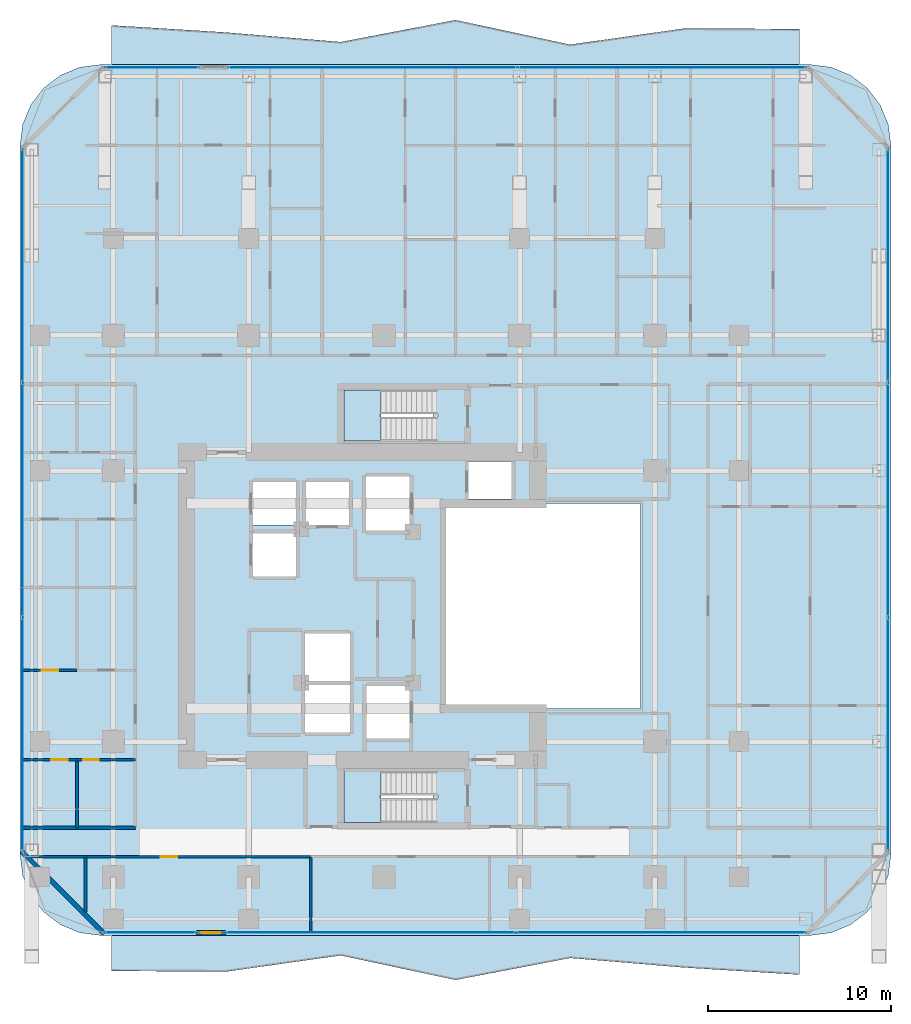
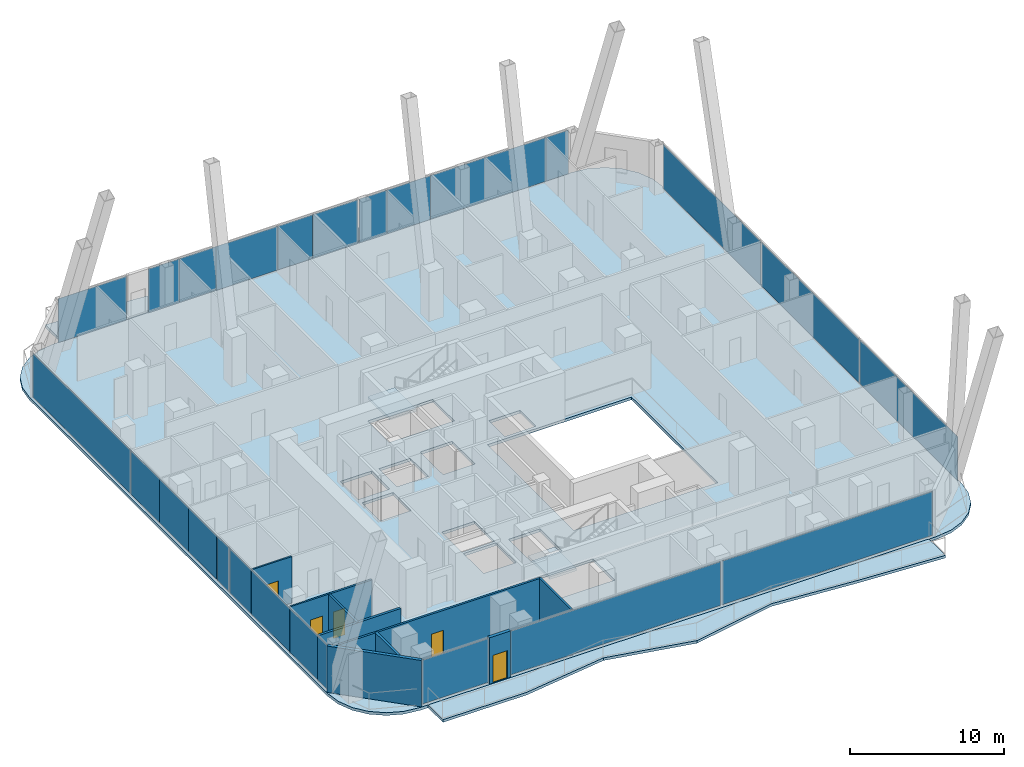
# One storey, part 20 of 28: 25 plates, 10 walls, 5 doors, 5 slabs, 5 openings, 8 elements without a shape of their own.
"""IFC4 building model written with IfcOpenShell, lengths in metres."""

from ifc_helpers import new_model, si_unit, direction, frame, frame_2d, origin, origin_2d, place, context, subcontext, project, spatial, polyline, rectangle, outline, extrude, material, layer, layer_set, type_object, element, fill, aggregate, save


model = new_model("IFC4")

# Units and contexts
model_context = context("Model", 3, precision=1e-05, world=origin(), true_north=direction((0.0, 1.0)))
body_context = subcontext(model_context, "Body", "Model", "MODEL_VIEW")
ifc_project = project(units=[si_unit("LENGTHUNIT", "METRE"), si_unit("AREAUNIT", "SQUARE_METRE"), si_unit("VOLUMEUNIT", "CUBIC_METRE"), si_unit("PLANEANGLEUNIT", "RADIAN"), si_unit("MASSUNIT", "GRAM", prefix="KILO")], contexts=[model_context])

# Site, building, storey
site_placement = place(None, origin())
site = spatial("IfcSite", under=ifc_project, at=site_placement, CompositionType="ELEMENT")
building_placement = place(site_placement, origin())
building = spatial("IfcBuilding", under=site, at=building_placement, Name="Khorvyn Point Tower", CompositionType="ELEMENT")
storey_placement = place(building_placement, frame((0.0, 0.0, 121.199951171875)))
storey = spatial("IfcBuildingStorey", under=building, at=storey_placement, Name="L30", CompositionType="ELEMENT", Elevation=121.199951171875)

# Slabs
ifc_material_1 = material(Name="Concrete C35/45", Category="concrete")
ifc_layer_1 = layer(ifc_material_1, 0.219970703125)
ifc_layer_set_1 = layer_set([ifc_layer_1], Name="Concrete C35/45 Structural Floor Slab 220")
slab_type_1 = type_object("IfcSlabType", Name="Concrete C35/45 Structural Floor Slab 220", PredefinedType="FLOOR", material=ifc_layer_set_1)
slab_1_placement = place(storey_placement, frame((0.0, 0.0, -0.219970703125)))
element("IfcSlab", 1, at=slab_1_placement, inside=storey, type_object=slab_type_1, Name="L30 Main Structural Floor Slab", PredefinedType="FLOOR", context=body_context, shape_type="SweptSolid", body=[
    extrude(outline(polyline([(-15.5, -18.0), (-16.638916015625, -17.85009765625), (-17.699951171875, -17.410400390625), (-18.611328125, -16.711181640625), (-19.310546875, -15.800048828125), (-19.75, -14.73876953125), (-19.89990234375, -13.60009765625), (-19.89990234375, 25.199951171875), (-19.75, 26.3388671875), (-19.310546875, 27.39990234375), (-18.611328125, 28.311279296875), (-17.699951171875, 29.010498046875), (-16.638916015625, 29.4501953125), (-15.5, 29.60009765625), (23.300048828125, 29.60009765625), (24.438720703125, 29.4501953125), (25.5, 29.010498046875), (26.411376953125, 28.311279296875), (27.110595703125, 27.39990234375), (27.550048828125, 26.3388671875), (27.699951171875, 25.199951171875), (27.699951171875, -13.60009765625), (27.550048828125, -14.73876953125), (27.110595703125, -15.800048828125), (26.411376953125, -16.711181640625), (25.5, -17.410400390625), (24.438720703125, -17.85009765625), (23.300048828125, -18.0), (-15.5, -18.0)]), holes=[polyline([(-1.875, -6.89990234375), (-1.875, -4.300048828125), (-4.324951171875, -4.300048828125), (-4.324951171875, -6.89990234375), (-1.875, -6.89990234375)]), polyline([(-1.875, -4.10009765625), (-1.875, -1.5), (-4.324951171875, -1.5), (-4.324951171875, -4.10009765625), (-1.875, -4.10009765625)]), polyline([(-4.824951171875, 1.625), (-4.824951171875, 3.97509765625), (-7.175048828125, 3.97509765625), (-7.175048828125, 1.625), (-4.824951171875, 1.625)]), polyline([(-7.175048828125, 4.425048828125), (-4.824951171875, 4.425048828125), (-4.824951171875, 6.77490234375), (-7.175048828125, 6.77490234375), (-7.175048828125, 4.425048828125)]), polyline([(-4.27490234375, 4.425048828125), (-1.925048828125, 4.425048828125), (-1.925048828125, 6.77490234375), (-4.27490234375, 6.77490234375), (-4.27490234375, 4.425048828125)]), polyline([(1.39990234375, 4.125), (1.39990234375, 7.074951171875), (-1.0, 7.074951171875), (-1.0, 4.125), (1.39990234375, 4.125)]), polyline([(-2.199951171875, -11.820068359375), (2.679931640625, -11.820068359375), (2.679931640625, -9.02001953125), (-2.199951171875, -9.02001953125), (-2.199951171875, -11.820068359375)]), polyline([(-0.97509765625, -7.22509765625), (1.375, -7.22509765625), (1.375, -4.375), (-0.97509765625, -4.375), (-0.97509765625, -7.22509765625)]), polyline([(14.0, -5.60009765625), (14.0, 5.60009765625), (3.199951171875, 5.60009765625), (3.199951171875, -5.60009765625), (14.0, -5.60009765625)]), polyline([(4.625, 5.85009765625), (6.97509765625, 5.85009765625), (6.97509765625, 7.905029296875), (4.625, 7.905029296875), (4.625, 5.85009765625)]), polyline([(-2.199951171875, 9.02001953125), (2.679931640625, 9.02001953125), (2.679931640625, 11.820068359375), (-2.199951171875, 11.820068359375), (-2.199951171875, 9.02001953125)])]), origin(), (0.0, 0.0, 1.0), 0.219970703125),
])
ifc_material_2 = material(Name="Concrete C40/50", Category="concrete")
ifc_layer_2 = layer(ifc_material_2, 0.2099609375)
ifc_layer_set_2 = layer_set([ifc_layer_2], Name="Concrete C40/50 Rippling Balcony Slab 210")
slab_type_2 = type_object("IfcSlabType", Name="Concrete C40/50 Rippling Balcony Slab 210", PredefinedType="USERDEFINED", material=ifc_layer_set_2)
slab_2_placement = place(storey_placement, frame((0.0, 0.0, -0.2099609375)))
element("IfcSlab", 2, at=slab_2_placement, inside=storey, type_object=slab_type_2, Name="L30 North Sinusoidal Rippling Balcony", ObjectType="BALCONY", PredefinedType="USERDEFINED", context=body_context, shape_type="SweptSolid", body=[
    extrude(outline(polyline([(22.699951171875, 29.60009765625), (22.699951171875, 31.54150390625), (16.433349609375, 31.577392578125), (10.166748046875, 30.689697265625), (3.89990234375, 32.03369140625), (-2.36669921875, 30.83251953125), (-8.63330078125, 31.35546875), (-14.89990234375, 31.74365234375), (-14.89990234375, 29.60009765625), (22.699951171875, 29.60009765625)])), origin(), (0.0, 0.0, 1.0), 0.2099609375),
])
slab_3_placement = place(storey_placement, frame((0.0, 0.0, -0.2099609375)))
element("IfcSlab", 3, at=slab_3_placement, inside=storey, type_object=slab_type_2, Name="L30 South Sinusoidal Rippling Balcony", ObjectType="BALCONY", PredefinedType="USERDEFINED", context=body_context, shape_type="SweptSolid", body=[
    extrude(outline(polyline([(-14.89990234375, -18.0), (-14.89990234375, -19.94140625), (-8.63330078125, -19.977294921875), (-2.36669921875, -19.089599609375), (3.89990234375, -20.43359375), (10.166748046875, -19.232421875), (16.433349609375, -19.75537109375), (22.699951171875, -20.1435546875), (22.699951171875, -18.0), (-14.89990234375, -18.0)])), origin(), (0.0, 0.0, 1.0), 0.2099609375),
])

# Stair, slab
stair_type = type_object("IfcStairType", Name="Tower Concrete C40/50 Dogleg Exit Stair", PredefinedType="HALF_TURN_STAIR", material=ifc_material_2)
stair_1_placement = place(storey_placement, origin())
stair_1 = element("IfcStair", 4, at=stair_1_placement, inside=storey, type_object=stair_type, Name="L30 Tower Smokeproof Exit Stair South", PredefinedType="HALF_TURN_STAIR")
ifc_layer_3 = layer(ifc_material_2, 0.199951171875)
ifc_layer_set_3 = layer_set([ifc_layer_3], Name="Concrete C40/50 Stair Landing Slab 200")
slab_type_3 = type_object("IfcSlabType", Name="Concrete C40/50 Stair Landing Slab 200", PredefinedType="LANDING", material=ifc_layer_set_3)
slab_4_placement = place(storey_placement, frame((0.0, 0.0, 1.75)))
slab_4 = element("IfcSlab", 5, at=slab_4_placement, type_object=slab_type_3, Name="ST-01 landing 1", PredefinedType="LANDING", context=body_context, shape_type="SweptSolid", body=[
    extrude(outline(polyline([(-0.179931640625, -9.02001953125), (-2.199951171875, -9.02001953125), (-2.199951171875, -11.820068359375), (-0.179931640625, -11.820068359375), (-0.179931640625, -9.02001953125)])), origin(), (0.0, 0.0, 1.0), 0.199951171875),
])
aggregate(stair_1, [slab_4])

stair_2_placement = place(storey_placement, origin())
stair_2 = element("IfcStair", 6, at=stair_2_placement, inside=storey, type_object=stair_type, Name="L30 Tower Smokeproof Exit Stair North", PredefinedType="HALF_TURN_STAIR")
slab_5_placement = place(storey_placement, frame((0.0, 0.0, 1.75)))
slab_5 = element("IfcSlab", 7, at=slab_5_placement, type_object=slab_type_3, Name="ST-02 landing 1", PredefinedType="LANDING", context=body_context, shape_type="SweptSolid", body=[
    extrude(outline(polyline([(-0.179931640625, 11.820068359375), (-2.199951171875, 11.820068359375), (-2.199951171875, 9.02001953125), (-0.179931640625, 9.02001953125), (-0.179931640625, 11.820068359375)])), origin(), (0.0, 0.0, 1.0), 0.199951171875),
])
aggregate(stair_2, [slab_5])

# Curtain wall, plates
ifc_material_3 = material(Name="Anodised aluminium 6063-T6 and laminated Low-E glass", Category="aluminium")
ifc_layer_4 = layer(ifc_material_3, 0.18994140625)
ifc_layer_set_4 = layer_set([ifc_layer_4], Name="Stick-Built Acoustic Curtain Wall CW-SYS-03")
curtain_wall_type = type_object("IfcCurtainWallType", Name="Stick-Built Acoustic Curtain Wall CW-SYS-03", PredefinedType="NOTDEFINED", material=ifc_layer_set_4)
curtain_wall_1_placement = place(storey_placement, origin())
curtain_wall_1 = element("IfcCurtainWall", 8, at=curtain_wall_1_placement, inside=storey, type_object=curtain_wall_type, Name="Curtain Wall", PredefinedType="NOTDEFINED")
ifc_material_4 = material(Name="Laminated Low-E insulated glass", Category="glass")
ifc_layer_5 = layer(ifc_material_4, 0.028076171875)
ifc_layer_set_5 = layer_set([ifc_layer_5], Name="Tempered Low-E Vision Glazing Panel CW-GL28")
plate_type = type_object("IfcPlateType", Name="Tempered Low-E Vision Glazing Panel CW-GL28", PredefinedType="CURTAIN_PANEL", material=ifc_layer_set_5)
plate_1_placement = place(storey_placement, frame((15.149658203125, -17.85009765625, 0.10009765625), z_axis=(0.0, 0.0, 1.0), x_axis=(-1.0, 0.0, 0.0)))
plate_1 = element("IfcPlate", 9, at=plate_1_placement, type_object=plate_type, Name="Panel", PredefinedType="CURTAIN_PANEL", context=body_context, shape_type="SweptSolid", body=[
    extrude(rectangle(XDim=15.800537109375, YDim=0.028076171875, at=origin_2d()), origin(), (0.0, 0.0, 1.0), 3.47998046875),
])
plate_2_placement = place(storey_placement, frame((-0.750732421875, -17.85009765625, 0.10009765625), z_axis=(0.0, 0.0, 1.0), x_axis=(-1.0, 0.0, 0.0)))
plate_2 = element("IfcPlate", 10, at=plate_2_placement, type_object=plate_type, Name="Panel", PredefinedType="CURTAIN_PANEL", context=body_context, shape_type="SweptSolid", body=[
    extrude(rectangle(XDim=15.800537109375, YDim=0.028076171875, at=origin_2d()), origin(), (0.0, 0.0, 1.0), 3.47998046875),
])
aggregate(curtain_wall_1, [plate_1, plate_2])

# Curtain wall, plate
curtain_wall_2_placement = place(storey_placement, origin())
curtain_wall_2 = element("IfcCurtainWall", 11, at=curtain_wall_2_placement, inside=storey, type_object=curtain_wall_type, Name="Curtain Wall", PredefinedType="NOTDEFINED")
plate_3_placement = place(storey_placement, frame((-12.7705078125, -17.85009765625, 0.10009765625), z_axis=(0.0, 0.0, 1.0), x_axis=(-1.0, 0.0, 0.0)))
plate_3 = element("IfcPlate", 12, at=plate_3_placement, type_object=plate_type, Name="Panel", PredefinedType="CURTAIN_PANEL", context=body_context, shape_type="SweptSolid", body=[
    extrude(rectangle(XDim=4.958984375, YDim=0.028076171875, at=origin_2d()), origin(), (0.0, 0.0, 1.0), 3.47998046875),
])
aggregate(curtain_wall_2, [plate_3])

curtain_wall_3_placement = place(storey_placement, origin())
curtain_wall_3 = element("IfcCurtainWall", 13, at=curtain_wall_3_placement, inside=storey, type_object=curtain_wall_type, Name="Curtain Wall", PredefinedType="NOTDEFINED")
plate_4_placement = place(storey_placement, frame((-12.694580078125, 29.449951171875, 0.10009765625), z_axis=(0.0, 0.0, 1.0), x_axis=(1.0, 0.0, 0.0)))
plate_4 = element("IfcPlate", 14, at=plate_4_placement, type_object=plate_type, Name="Panel", PredefinedType="CURTAIN_PANEL", context=body_context, shape_type="SweptSolid", body=[
    extrude(rectangle(XDim=5.111083984375, YDim=0.028076171875, at=origin_2d()), origin(), (0.0, 0.0, 1.0), 3.47998046875),
])
aggregate(curtain_wall_3, [plate_4])

# Curtain wall, plates
curtain_wall_4_placement = place(storey_placement, origin())
curtain_wall_4 = element("IfcCurtainWall", 15, at=curtain_wall_4_placement, inside=storey, type_object=curtain_wall_type, Name="Curtain Wall", PredefinedType="NOTDEFINED")
plate_5_placement = place(storey_placement, frame((-7.333984375, 29.449951171875, 0.10009765625), z_axis=(0.0, 0.0, 1.0), x_axis=(1.0, 0.0, 0.0)))
plate_5 = element("IfcPlate", 16, at=plate_5_placement, type_object=plate_type, Name="Panel", PredefinedType="CURTAIN_PANEL", context=body_context, shape_type="SweptSolid", body=[
    extrude(rectangle(XDim=2.322021484375, YDim=0.028076171875, at=origin_2d()), origin(), (0.0, 0.0, 1.0), 3.47998046875),
])
plate_6_placement = place(storey_placement, frame((-4.803955078125, 29.449951171875, 0.10009765625), z_axis=(0.0, 0.0, 1.0), x_axis=(1.0, 0.0, 0.0)))
plate_6 = element("IfcPlate", 17, at=plate_6_placement, type_object=plate_type, Name="Panel", PredefinedType="CURTAIN_PANEL", context=body_context, shape_type="SweptSolid", body=[
    extrude(rectangle(XDim=2.721923828125, YDim=0.028076171875, at=origin_2d()), origin(), (0.0, 0.0, 1.0), 3.47998046875),
])
plate_7_placement = place(storey_placement, frame((-1.114501953125, 29.449951171875, 0.10009765625), z_axis=(0.0, 0.0, 1.0), x_axis=(1.0, 0.0, 0.0)))
plate_7 = element("IfcPlate", 18, at=plate_7_placement, type_object=plate_type, Name="Panel", PredefinedType="CURTAIN_PANEL", context=body_context, shape_type="SweptSolid", body=[
    extrude(rectangle(XDim=4.64111328125, YDim=0.028076171875, at=origin_2d()), origin(), (0.0, 0.0, 1.0), 3.47998046875),
])
plate_8_placement = place(storey_placement, frame((2.52490234375, 29.449951171875, 0.10009765625), z_axis=(0.0, 0.0, 1.0), x_axis=(1.0, 0.0, 0.0)))
plate_8 = element("IfcPlate", 19, at=plate_8_placement, type_object=plate_type, Name="Panel", PredefinedType="CURTAIN_PANEL", context=body_context, shape_type="SweptSolid", body=[
    extrude(rectangle(XDim=2.6220703125, YDim=0.028076171875, at=origin_2d()), origin(), (0.0, 0.0, 1.0), 3.47998046875),
])
plate_9_placement = place(storey_placement, frame((5.53271484375, 29.449951171875, 0.10009765625), z_axis=(0.0, 0.0, 1.0), x_axis=(1.0, 0.0, 0.0)))
plate_9 = element("IfcPlate", 20, at=plate_9_placement, type_object=plate_type, Name="Panel", PredefinedType="CURTAIN_PANEL", context=body_context, shape_type="SweptSolid", body=[
    extrude(rectangle(XDim=3.37744140625, YDim=0.028076171875, at=origin_2d()), origin(), (0.0, 0.0, 1.0), 3.47998046875),
])
plate_10_placement = place(storey_placement, frame((8.3681640625, 29.449951171875, 0.10009765625), z_axis=(0.0, 0.0, 1.0), x_axis=(1.0, 0.0, 0.0)))
plate_10 = element("IfcPlate", 21, at=plate_10_placement, type_object=plate_type, Name="Panel", PredefinedType="CURTAIN_PANEL", context=body_context, shape_type="SweptSolid", body=[
    extrude(rectangle(XDim=2.077392578125, YDim=0.028076171875, at=origin_2d()), origin(), (0.0, 0.0, 1.0), 3.47998046875),
])
plate_11_placement = place(storey_placement, frame((11.04345703125, 29.449951171875, 0.10009765625), z_axis=(0.0, 0.0, 1.0), x_axis=(1.0, 0.0, 0.0)))
plate_11 = element("IfcPlate", 22, at=plate_11_placement, type_object=plate_type, Name="Panel", PredefinedType="CURTAIN_PANEL", context=body_context, shape_type="SweptSolid", body=[
    extrude(rectangle(XDim=3.257080078125, YDim=0.028076171875, at=origin_2d()), origin(), (0.0, 0.0, 1.0), 3.47998046875),
])
plate_12_placement = place(storey_placement, frame((17.0029296875, 29.449951171875, 0.10009765625), z_axis=(0.0, 0.0, 1.0), x_axis=(1.0, 0.0, 0.0)))
plate_12 = element("IfcPlate", 23, at=plate_12_placement, type_object=plate_type, Name="Panel", PredefinedType="CURTAIN_PANEL", context=body_context, shape_type="SweptSolid", body=[
    extrude(rectangle(XDim=8.64599609375, YDim=0.028076171875, at=origin_2d()), origin(), (0.0, 0.0, 1.0), 3.47998046875),
])
plate_13_placement = place(storey_placement, frame((22.18994140625, 29.449951171875, 0.10009765625), z_axis=(0.0, 0.0, 1.0), x_axis=(1.0, 0.0, 0.0)))
plate_13 = element("IfcPlate", 24, at=plate_13_placement, type_object=plate_type, Name="Panel", PredefinedType="CURTAIN_PANEL", context=body_context, shape_type="SweptSolid", body=[
    extrude(rectangle(XDim=1.7119140625, YDim=0.028076171875, at=origin_2d()), origin(), (0.0, 0.0, 1.0), 3.47998046875),
])
aggregate(curtain_wall_4, [plate_5, plate_6, plate_7, plate_8, plate_9, plate_10, plate_11, plate_12, plate_13])

curtain_wall_5_placement = place(storey_placement, origin())
curtain_wall_5 = element("IfcCurtainWall", 25, at=curtain_wall_5_placement, inside=storey, type_object=curtain_wall_type, Name="Curtain Wall", PredefinedType="NOTDEFINED")
plate_14_placement = place(storey_placement, frame((-19.75, -12.705078125, 0.10009765625), z_axis=(0.0, 0.0, 1.0), x_axis=(0.0, 1.0, 0.0)))
plate_14 = element("IfcPlate", 26, at=plate_14_placement, type_object=plate_type, Name="Panel", PredefinedType="CURTAIN_PANEL", context=body_context, shape_type="SweptSolid", body=[
    extrude(rectangle(XDim=1.281982421875, YDim=0.028076171875, at=origin_2d()), origin(), (0.0, 0.0, 1.0), 3.47998046875),
])
plate_15_placement = place(storey_placement, frame((-19.75, -10.257080078125, 0.10009765625), z_axis=(0.0, 0.0, 1.0), x_axis=(0.0, 1.0, 0.0)))
plate_15 = element("IfcPlate", 27, at=plate_15_placement, type_object=plate_type, Name="Panel", PredefinedType="CURTAIN_PANEL", context=body_context, shape_type="SweptSolid", body=[
    extrude(rectangle(XDim=3.597900390625, YDim=0.028076171875, at=origin_2d()), origin(), (0.0, 0.0, 1.0), 3.47998046875),
])
plate_16_placement = place(storey_placement, frame((-19.75, -5.950927734375, 0.10009765625), z_axis=(0.0, 0.0, 1.0), x_axis=(0.0, 1.0, 0.0)))
plate_16 = element("IfcPlate", 28, at=plate_16_placement, type_object=plate_type, Name="Panel", PredefinedType="CURTAIN_PANEL", context=body_context, shape_type="SweptSolid", body=[
    extrude(rectangle(XDim=4.998046875, YDim=0.028076171875, at=origin_2d()), origin(), (0.0, 0.0, 1.0), 3.47998046875),
])
plate_17_placement = place(storey_placement, frame((-19.75, -2.057373046875, 0.10009765625), z_axis=(0.0, 0.0, 1.0), x_axis=(0.0, 1.0, 0.0)))
plate_17 = element("IfcPlate", 29, at=plate_17_placement, type_object=plate_type, Name="Panel", PredefinedType="CURTAIN_PANEL", context=body_context, shape_type="SweptSolid", body=[
    extrude(rectangle(XDim=2.773193359375, YDim=0.028076171875, at=origin_2d()), origin(), (0.0, 0.0, 1.0), 3.47998046875),
])
plate_18_placement = place(storey_placement, frame((-19.75, 0.19580078125, 0.10009765625), z_axis=(0.0, 0.0, 1.0), x_axis=(0.0, 1.0, 0.0)))
plate_18 = element("IfcPlate", 30, at=plate_18_placement, type_object=plate_type, Name="Panel", PredefinedType="CURTAIN_PANEL", context=body_context, shape_type="SweptSolid", body=[
    extrude(rectangle(XDim=1.5166015625, YDim=0.028076171875, at=origin_2d()), origin(), (0.0, 0.0, 1.0), 3.47998046875),
])
plate_19_placement = place(storey_placement, frame((-19.75, 2.881103515625, 0.10009765625), z_axis=(0.0, 0.0, 1.0), x_axis=(0.0, 1.0, 0.0)))
plate_19 = element("IfcPlate", 31, at=plate_19_placement, type_object=plate_type, Name="Panel", PredefinedType="CURTAIN_PANEL", context=body_context, shape_type="SweptSolid", body=[
    extrude(rectangle(XDim=3.597900390625, YDim=0.028076171875, at=origin_2d()), origin(), (0.0, 0.0, 1.0), 3.47998046875),
])
plate_20_placement = place(storey_placement, frame((-19.75, 6.569091796875, 0.10009765625), z_axis=(0.0, 0.0, 1.0), x_axis=(0.0, 1.0, 0.0)))
plate_20 = element("IfcPlate", 32, at=plate_20_placement, type_object=plate_type, Name="Panel", PredefinedType="CURTAIN_PANEL", context=body_context, shape_type="SweptSolid", body=[
    extrude(rectangle(XDim=3.761962890625, YDim=0.028076171875, at=origin_2d()), origin(), (0.0, 0.0, 1.0), 3.47998046875),
])
plate_21_placement = place(storey_placement, frame((-19.75, 10.310302734375, 0.10009765625), z_axis=(0.0, 0.0, 1.0), x_axis=(0.0, 1.0, 0.0)))
plate_21 = element("IfcPlate", 33, at=plate_21_placement, type_object=plate_type, Name="Panel", PredefinedType="CURTAIN_PANEL", context=body_context, shape_type="SweptSolid", body=[
    extrude(rectangle(XDim=3.70458984375, YDim=0.028076171875, at=origin_2d()), origin(), (0.0, 0.0, 1.0), 3.47998046875),
])
plate_22_placement = place(storey_placement, frame((-19.75, 18.6083984375, 0.10009765625), z_axis=(0.0, 0.0, 1.0), x_axis=(0.0, 1.0, 0.0)))
plate_22 = element("IfcPlate", 34, at=plate_22_placement, type_object=plate_type, Name="Panel", PredefinedType="CURTAIN_PANEL", context=body_context, shape_type="SweptSolid", body=[
    extrude(rectangle(XDim=12.683349609375, YDim=0.028076171875, at=origin_2d()), origin(), (0.0, 0.0, 1.0), 3.47998046875),
])
aggregate(curtain_wall_5, [plate_14, plate_15, plate_16, plate_17, plate_18, plate_19, plate_20, plate_21, plate_22])

curtain_wall_6_placement = place(storey_placement, origin())
curtain_wall_6 = element("IfcCurtainWall", 35, at=curtain_wall_6_placement, inside=storey, type_object=curtain_wall_type, Name="Curtain Wall", PredefinedType="NOTDEFINED")
plate_23_placement = place(storey_placement, frame((27.550048828125, 18.6083984375, 0.10009765625), z_axis=(0.0, 0.0, 1.0), x_axis=(0.0, -1.0, 0.0)))
plate_23 = element("IfcPlate", 36, at=plate_23_placement, type_object=plate_type, Name="Panel", PredefinedType="CURTAIN_PANEL", context=body_context, shape_type="SweptSolid", body=[
    extrude(rectangle(XDim=12.683349609375, YDim=0.028076171875, at=origin_2d()), origin(), (0.0, 0.0, 1.0), 3.47998046875),
])
plate_24_placement = place(storey_placement, frame((27.550048828125, 5.800048828125, 0.10009765625), z_axis=(0.0, 0.0, 1.0), x_axis=(0.0, -1.0, 0.0)))
plate_24 = element("IfcPlate", 37, at=plate_24_placement, type_object=plate_type, Name="Panel", PredefinedType="CURTAIN_PANEL", context=body_context, shape_type="SweptSolid", body=[
    extrude(rectangle(XDim=12.7333984375, YDim=0.028076171875, at=origin_2d()), origin(), (0.0, 0.0, 1.0), 3.47998046875),
])
plate_25_placement = place(storey_placement, frame((27.550048828125, -7.00830078125, 0.10009765625), z_axis=(0.0, 0.0, 1.0), x_axis=(0.0, -1.0, 0.0)))
plate_25 = element("IfcPlate", 38, at=plate_25_placement, type_object=plate_type, Name="Panel", PredefinedType="CURTAIN_PANEL", context=body_context, shape_type="SweptSolid", body=[
    extrude(rectangle(XDim=12.683349609375, YDim=0.028076171875, at=origin_2d()), origin(), (0.0, 0.0, 1.0), 3.47998046875),
])
aggregate(curtain_wall_6, [plate_23, plate_24, plate_25])

# Walls
ifc_material_5 = material(Name="Double acoustic gypsum on twin steel stud", Category="steel")
ifc_layer_6 = layer(ifc_material_5, 0.179931640625)
ifc_layer_set_6 = layer_set([ifc_layer_6], Name="Acoustic Double-Stud Apartment Demising Wall 180")
wall_type_1 = type_object("IfcWallType", Name="Acoustic Double-Stud Apartment Demising Wall 180", PredefinedType="PARTITIONING", material=ifc_layer_set_6)
wall_1_placement = place(storey_placement, frame((-16.320068359375, -16.7099609375, 0.0), z_axis=(0.0, 0.0, 1.0), x_axis=(0.0, 1.0, 0.0)))
element("IfcWall", 39, at=wall_1_placement, inside=storey, type_object=wall_type_1, Name="Wall", PredefinedType="PARTITIONING", context=body_context, shape_type="SweptSolid", body=[
    extrude(rectangle(XDim=3.010009765625, YDim=0.179931640625, at=frame_2d((1.5048828125, 0.0))), origin(), (0.0, 0.0, 1.0), 3.679931640625),
])
wall_2_placement = place(storey_placement, frame((-19.72998046875, -12.1201171875, 0.0), z_axis=(0.0, 0.0, 1.0), x_axis=(1.0, 0.0, 0.0)))
element("IfcWall", 40, at=wall_2_placement, inside=storey, type_object=wall_type_1, Name="Wall", PredefinedType="PARTITIONING", context=body_context, shape_type="SweptSolid", body=[
    extrude(rectangle(XDim=6.1298828125, YDim=0.179931640625, at=frame_2d((3.06494140625, 0.0))), origin(), (0.0, 0.0, 1.0), 3.679931640625),
])

# Wall, opening, door
ifc_material_6 = material(Name="Pale anodised aluminium rainscreen on steel stud", Category="steel")
ifc_layer_7 = layer(ifc_material_6, 0.239990234375)
ifc_layer_set_7 = layer_set([ifc_layer_7], Name="Anodised Aluminium Insulated Corner Spandrel Wall 240")
wall_type_2 = type_object("IfcWallType", Name="Anodised Aluminium Insulated Corner Spandrel Wall 240", PredefinedType="SOLIDWALL", material=ifc_layer_set_7)
wall_3_placement = place(storey_placement, frame((-8.680908203125, -17.85009765625, 0.0), z_axis=(0.0, 0.0, 1.0), x_axis=(-1.0, 0.0, 0.0)))
wall_3 = element("IfcWall", 41, at=wall_3_placement, inside=storey, type_object=wall_type_2, Name="L30 South Outdoor Threshold Wall", PredefinedType="SOLIDWALL", context=body_context, shape_type="SweptSolid", body=[
    extrude(rectangle(XDim=1.580078125, YDim=0.239990234375, at=frame_2d((0.7900390625, 0.0))), origin(), (0.0, 0.0, 1.0), 3.679931640625),
])
opening_1_placement = place(wall_3_placement, frame((0.239990234375, 0.0, 0.0)))
opening_1 = element("IfcOpeningElement", 42, at=opening_1_placement, cuts=wall_3, Name="Opening BD-1122", PredefinedType="OPENING", context=body_context, shape_type="SweptSolid", body=[
    extrude(rectangle(XDim=1.10009765625, YDim=2.199951171875, at=frame_2d((0.550048828125, 1.10009765625))), frame((0.0, 0.1298828125, 0.0), z_axis=(0.0, -1.0, 0.0), x_axis=(1.0, 0.0, 0.0)), (0.0, 0.0, 1.0), 0.260009765625),
])
door_type_1 = type_object("IfcDoorType", Name="Glazed Balcony and Terrace Threshold Door 1100x2200", OperationType="NOTDEFINED", PredefinedType="DOOR", material=ifc_material_3)
door_1_placement = place(opening_1_placement, origin())
door_1 = element("IfcDoor", 43, at=door_1_placement, inside=storey, type_object=door_type_1, Name="L30 South Glazed Balcony Outdoor Door", OperationType="SINGLE_SWING_RIGHT", OverallHeight=2.199951171875, OverallWidth=1.10009765625, PredefinedType="DOOR", context=body_context, shape_type="SweptSolid", body=[
    extrude(rectangle(XDim=1.10009765625, YDim=2.199951171875, at=frame_2d((0.550048828125, 1.10009765625))), frame((0.0, 0.02490234375, 0.0), z_axis=(0.0, -1.0, 0.0), x_axis=(1.0, 0.0, 0.0)), (0.0, 0.0, 1.0), 0.050048828125),
])
fill(opening_1, door_1)

# Wall
wall_4_placement = place(storey_placement, frame((-15.3076171875, -17.892333984375, 0.0), z_axis=(0.0, 0.0, 1.0), x_axis=(-0.707126027686, 0.707087534163, 0.0)))
element("IfcWall", 44, at=wall_4_placement, inside=storey, type_object=wall_type_2, Name="L30 Rounded Corner Wall SW", PredefinedType="SOLIDWALL", context=body_context, shape_type="SweptSolid", body=[
    extrude(rectangle(XDim=6.34228515625, YDim=0.239990234375, at=frame_2d((3.171142578125, 0.0))), origin(), (0.0, 0.0, 1.0), 3.679931640625),
])

# Wall, opening, door
ifc_material_7 = material(Name="Gypsum plasterboard on steel stud", Category="steel")
ifc_layer_8 = layer(ifc_material_7, 0.1201171875)
ifc_layer_set_8 = layer_set([ifc_layer_8], Name="Gypsum Acoustic Stud Room Partition Wall 120")
wall_type_3 = type_object("IfcWallType", Name="Gypsum Acoustic Stud Room Partition Wall 120", PredefinedType="PARTITIONING", material=ifc_layer_set_8)
wall_5_placement = place(storey_placement, frame((-19.72998046875, -8.39404296875, 0.0), z_axis=(0.0, 0.0, 1.0), x_axis=(1.0, 0.0, 0.0)))
wall_5 = element("IfcWall", 45, at=wall_5_placement, inside=storey, type_object=wall_type_3, Name="Wall", PredefinedType="PARTITIONING", context=body_context, shape_type="SweptSolid", body=[
    extrude(rectangle(XDim=2.946044921875, YDim=0.1201171875, at=frame_2d((1.47314453125, 0.0))), origin(), (0.0, 0.0, 1.0), 3.679931640625),
])
opening_2_placement = place(wall_5_placement, frame((1.540771484375, 0.0, 0.0)))
opening_2 = element("IfcOpeningElement", 46, at=opening_2_placement, cuts=wall_5, Name="Opening ID-RM90", PredefinedType="OPENING", context=body_context, shape_type="SweptSolid", body=[
    extrude(rectangle(XDim=0.89990234375, YDim=2.10009765625, at=frame_2d((0.449951171875, 1.050048828125))), frame((0.0, 0.070068359375, 0.0), z_axis=(0.0, -1.0, 0.0), x_axis=(1.0, 0.0, 0.0)), (0.0, 0.0, 1.0), 0.14013671875),
])
ifc_material_8 = material(Name="Engineered oak veneer timber", Category="wood")
door_type_2 = type_object("IfcDoorType", Name="Flush Engineered Timber Room Door 900x2100", OperationType="NOTDEFINED", PredefinedType="DOOR", material=ifc_material_8)
door_2_placement = place(opening_2_placement, origin())
door_2 = element("IfcDoor", 47, at=door_2_placement, inside=storey, type_object=door_type_2, Name="Door", OperationType="SINGLE_SWING_LEFT", OverallHeight=2.10009765625, OverallWidth=0.89990234375, PredefinedType="DOOR", context=body_context, shape_type="SweptSolid", body=[
    extrude(rectangle(XDim=0.89990234375, YDim=2.10009765625, at=frame_2d((0.449951171875, 1.050048828125))), frame((0.0, 0.02490234375, 0.0), z_axis=(0.0, -1.0, 0.0), x_axis=(1.0, 0.0, 0.0)), (0.0, 0.0, 1.0), 0.050048828125),
])
fill(opening_2, door_2)

wall_6_placement = place(storey_placement, frame((-19.72998046875, -3.508056640625, 0.0), z_axis=(0.0, 0.0, 1.0), x_axis=(1.0, 0.0, 0.0)))
wall_6 = element("IfcWall", 48, at=wall_6_placement, inside=storey, type_object=wall_type_3, Name="Wall", PredefinedType="PARTITIONING", context=body_context, shape_type="SweptSolid", body=[
    extrude(rectangle(XDim=2.946044921875, YDim=0.1201171875, at=frame_2d((1.47314453125, 0.0))), origin(), (0.0, 0.0, 1.0), 3.679931640625),
])
opening_3_placement = place(wall_6_placement, frame((1.02294921875, 0.0, 0.0)))
opening_3 = element("IfcOpeningElement", 49, at=opening_3_placement, cuts=wall_6, Name="Opening ID-RM90", PredefinedType="OPENING", context=body_context, shape_type="SweptSolid", body=[
    extrude(rectangle(XDim=0.89990234375, YDim=2.10009765625, at=frame_2d((0.449951171875, 1.050048828125))), frame((0.0, 0.070068359375, 0.0), z_axis=(0.0, -1.0, 0.0), x_axis=(1.0, 0.0, 0.0)), (0.0, 0.0, 1.0), 0.14013671875),
])
door_3_placement = place(opening_3_placement, origin())
door_3 = element("IfcDoor", 50, at=door_3_placement, inside=storey, type_object=door_type_2, Name="Door", OperationType="SINGLE_SWING_RIGHT", OverallHeight=2.10009765625, OverallWidth=0.89990234375, PredefinedType="DOOR", context=body_context, shape_type="SweptSolid", body=[
    extrude(rectangle(XDim=0.89990234375, YDim=2.10009765625, at=frame_2d((0.449951171875, 1.050048828125))), frame((0.0, 0.02490234375, 0.0), z_axis=(0.0, -1.0, 0.0), x_axis=(1.0, 0.0, 0.0)), (0.0, 0.0, 1.0), 0.050048828125),
])
fill(opening_3, door_3)

ifc_material_9 = material(Name="Moisture-resistant gypsum and cement board", Category="gypsum")
ifc_layer_9 = layer(ifc_material_9, 0.14990234375)
ifc_layer_set_9 = layer_set([ifc_layer_9], Name="Moisture-Resistant Wet-Room Partition Wall 150")
wall_type_4 = type_object("IfcWallType", Name="Moisture-Resistant Wet-Room Partition Wall 150", PredefinedType="PARTITIONING", material=ifc_layer_set_9)
wall_7_placement = place(storey_placement, frame((-19.330078125, -13.699951171875, 0.0), z_axis=(0.0, 0.0, 1.0), x_axis=(1.0, 0.0, 0.0)))
wall_7 = element("IfcWall", 51, at=wall_7_placement, inside=storey, type_object=wall_type_4, Name="Wall", PredefinedType="PARTITIONING", context=body_context, shape_type="SweptSolid", body=[
    extrude(rectangle(XDim=15.318115234375, YDim=0.14990234375, at=frame_2d((7.6591796875, 0.0))), origin(), (0.0, 0.0, 1.0), 3.679931640625),
])
opening_4_placement = place(wall_7_placement, frame((7.119873046875, 0.0, 0.0)))
opening_4 = element("IfcOpeningElement", 52, at=opening_4_placement, cuts=wall_7, Name="Opening ID-RM90", PredefinedType="OPENING", context=body_context, shape_type="SweptSolid", body=[
    extrude(rectangle(XDim=0.89990234375, YDim=2.10009765625, at=frame_2d((0.449951171875, 1.050048828125))), frame((0.0, 0.0849609375, 0.0), z_axis=(0.0, -1.0, 0.0), x_axis=(1.0, 0.0, 0.0)), (0.0, 0.0, 1.0), 0.169921875),
])
door_4_placement = place(opening_4_placement, origin())
door_4 = element("IfcDoor", 53, at=door_4_placement, inside=storey, type_object=door_type_2, Name="Door", OperationType="SINGLE_SWING_RIGHT", OverallHeight=2.10009765625, OverallWidth=0.89990234375, PredefinedType="DOOR", context=body_context, shape_type="SweptSolid", body=[
    extrude(rectangle(XDim=0.89990234375, YDim=2.10009765625, at=frame_2d((0.449951171875, 1.050048828125))), frame((0.0, 0.02490234375, 0.0), z_axis=(0.0, -1.0, 0.0), x_axis=(1.0, 0.0, 0.0)), (0.0, 0.0, 1.0), 0.050048828125),
])
fill(opening_4, door_4)

wall_8_placement = place(storey_placement, frame((-16.783935546875, -8.39404296875, 0.0), z_axis=(0.0, 0.0, 1.0), x_axis=(1.0, 0.0, 0.0)))
wall_8 = element("IfcWall", 54, at=wall_8_placement, inside=storey, type_object=wall_type_4, Name="Wall", PredefinedType="PARTITIONING", context=body_context, shape_type="SweptSolid", body=[
    extrude(rectangle(XDim=3.183837890625, YDim=0.14990234375, at=frame_2d((1.591796875, 0.0))), origin(), (0.0, 0.0, 1.0), 3.679931640625),
])
opening_5_placement = place(wall_8_placement, frame((0.327880859375, 0.0, 0.0)))
opening_5 = element("IfcOpeningElement", 55, at=opening_5_placement, cuts=wall_8, Name="Opening ID-WC85", PredefinedType="OPENING", context=body_context, shape_type="SweptSolid", body=[
    extrude(rectangle(XDim=0.85009765625, YDim=2.10009765625, at=frame_2d((0.425048828125, 1.050048828125))), frame((0.0, 0.0849609375, 0.0), z_axis=(0.0, -1.0, 0.0), x_axis=(1.0, 0.0, 0.0)), (0.0, 0.0, 1.0), 0.169921875),
])
ifc_material_10 = material(Name="High-pressure laminate on moisture-resistant core", Category="wood")
door_type_3 = type_object("IfcDoorType", Name="Moisture-Resistant Accessible Washroom Door 850x2100", OperationType="NOTDEFINED", PredefinedType="DOOR", material=ifc_material_10)
door_5_placement = place(opening_5_placement, origin())
door_5 = element("IfcDoor", 56, at=door_5_placement, inside=storey, type_object=door_type_3, Name="Door", OperationType="SINGLE_SWING_RIGHT", OverallHeight=2.10009765625, OverallWidth=0.85009765625, PredefinedType="DOOR", context=body_context, shape_type="SweptSolid", body=[
    extrude(rectangle(XDim=0.85009765625, YDim=2.10009765625, at=frame_2d((0.425048828125, 1.050048828125))), frame((0.0, 0.02490234375, 0.0), z_axis=(0.0, -1.0, 0.0), x_axis=(1.0, 0.0, 0.0)), (0.0, 0.0, 1.0), 0.050048828125),
])
fill(opening_5, door_5)

# Walls
wall_9_placement = place(storey_placement, frame((-4.011962890625, -17.830078125, 0.0), z_axis=(0.0, 0.0, 1.0), x_axis=(0.0, 1.0, 0.0)))
element("IfcWall", 57, at=wall_9_placement, inside=storey, type_object=wall_type_4, Name="Wall", PredefinedType="PARTITIONING", context=body_context, shape_type="SweptSolid", body=[
    extrude(rectangle(XDim=4.130126953125, YDim=0.14990234375, at=frame_2d((2.06494140625, 0.0))), origin(), (0.0, 0.0, 1.0), 3.679931640625),
])
wall_10_placement = place(storey_placement, frame((-16.783935546875, -12.1201171875, 0.0), z_axis=(0.0, 0.0, 1.0), x_axis=(0.0, 1.0, 0.0)))
element("IfcWall", 58, at=wall_10_placement, inside=storey, type_object=wall_type_4, Name="Wall", PredefinedType="PARTITIONING", context=body_context, shape_type="SweptSolid", body=[
    extrude(rectangle(XDim=3.72607421875, YDim=0.14990234375, at=frame_2d((1.863037109375, 0.0))), origin(), (0.0, 0.0, 1.0), 3.679931640625),
])

save(model, "model.ifc")
